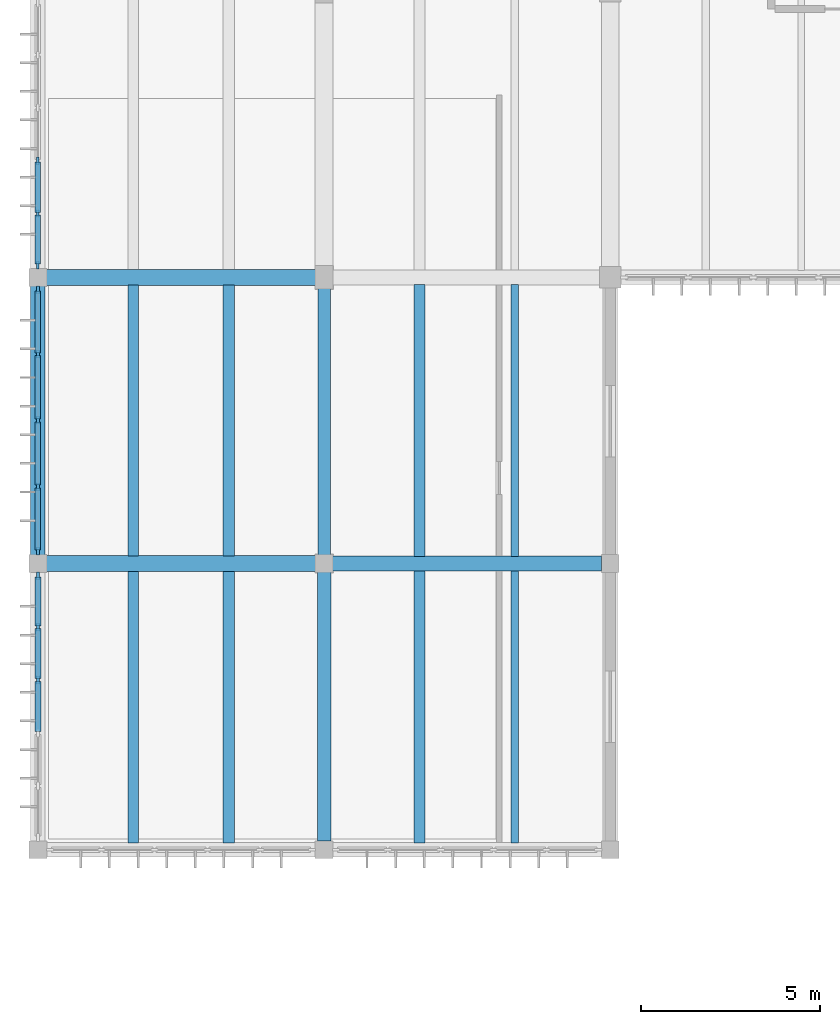
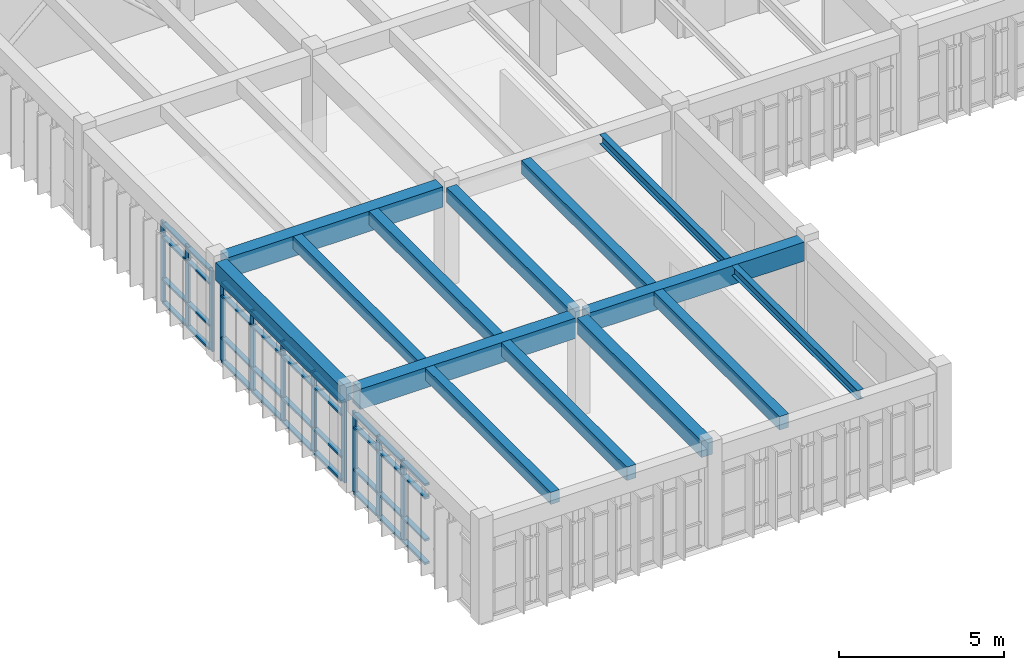
# One storey, part 3 of 22: 47 members, 14 beams, 3 elements without a shape of their own.
"""IFC4 building model written with IfcOpenShell, lengths in metres."""

from ifc_helpers import new_model, si_unit, direction, frame, origin, origin_2d, place, context, subcontext, project, spatial, rectangle, i_section, extrude, material, material_profile, profile_set, type_object, element, aggregate, save


model = new_model("IFC4")

# Units and contexts
model_context = context("Model", 3, precision=1e-05, world=origin(), true_north=direction((0.0, 1.0)))
body_context = subcontext(model_context, "Body", "Model", "MODEL_VIEW")
ifc_project = project(units=[si_unit("LENGTHUNIT", "METRE"), si_unit("AREAUNIT", "SQUARE_METRE"), si_unit("VOLUMEUNIT", "CUBIC_METRE"), si_unit("PLANEANGLEUNIT", "RADIAN"), si_unit("MASSUNIT", "GRAM", prefix="KILO")], contexts=[model_context])

# Site, building, storey
site_placement = place(None, origin())
site = spatial("IfcSite", under=ifc_project, at=site_placement, CompositionType="ELEMENT")
building_placement = place(site_placement, origin())
building = spatial("IfcBuilding", under=site, at=building_placement, Name="Tlaxcora Railside Police Headquarters", CompositionType="ELEMENT")
storey_placement = place(building_placement, frame((0.0, 0.0, 21.89990234375)))
storey = spatial("IfcBuildingStorey", under=building, at=storey_placement, Name="L05", CompositionType="ELEMENT", Elevation=21.89990234375)

# Curtain wall, members
ifc_material_1 = material(Name="Thermally broken low-E insulated glazing", Category="glass")
curtain_wall_type_1 = type_object("IfcCurtainWallType", Name="Unitised Curtain Wall Assembly CW-23", PredefinedType="NOTDEFINED", material=ifc_material_1)
curtain_wall_1_placement = place(storey_placement, origin())
curtain_wall_1 = element("IfcCurtainWall", 1, at=curtain_wall_1_placement, inside=storey, type_object=curtain_wall_type_1, Name="V5 L05 curtain wall 120", PredefinedType="NOTDEFINED")
ifc_material_2 = material(Name="Anodised aluminium framing", Category="aluminium")
ifc_material_profile_1 = material_profile(ifc_material_2, rectangle(XDim=0.080078125, YDim=0.219970703125, at=origin_2d()), Name="AL80X220")
ifc_profile_set_1 = profile_set([ifc_material_profile_1], Name="Anodised aluminium framing")
member_type_1 = type_object("IfcMemberType", Name="Curtain Wall Mullion CW-31", PredefinedType="MULLION", material=ifc_profile_set_1)
member_1_placement = place(storey_placement, frame((5.199951171875, 68.4599609375, 0.0), z_axis=(0.0, 0.0, 1.0), x_axis=(1.0, 0.0, 0.0)))
member_1 = element("IfcMember", 2, at=member_1_placement, type_object=member_type_1, Name="CW mullion 1", PredefinedType="MULLION", context=body_context, shape_type="SweptSolid", body=[
    extrude(rectangle(XDim=0.080078125, YDim=0.219970703125, at=origin_2d()), origin(), (0.0, 0.0, 1.0), 2.97998046875),
])
member_2_placement = place(storey_placement, frame((5.199951171875, 67.02001953125, 0.0), z_axis=(0.0, 0.0, 1.0), x_axis=(1.0, 0.0, 0.0)))
member_2 = element("IfcMember", 3, at=member_2_placement, type_object=member_type_1, Name="CW mullion 2", PredefinedType="MULLION", context=body_context, shape_type="SweptSolid", body=[
    extrude(rectangle(XDim=0.080078125, YDim=0.219970703125, at=origin_2d()), origin(), (0.0, 0.0, 1.0), 2.97998046875),
])
member_3_placement = place(storey_placement, frame((5.199951171875, 65.5400390625, 0.0), z_axis=(0.0, 0.0, 1.0), x_axis=(1.0, 0.0, 0.0)))
member_3 = element("IfcMember", 4, at=member_3_placement, type_object=member_type_1, Name="CW mullion 3", PredefinedType="MULLION", context=body_context, shape_type="SweptSolid", body=[
    extrude(rectangle(XDim=0.080078125, YDim=0.219970703125, at=origin_2d()), origin(), (0.0, 0.0, 1.0), 2.97998046875),
])

curtain_wall_type_2 = type_object("IfcCurtainWallType", Name="Unitised Curtain Wall Assembly CW-15", PredefinedType="NOTDEFINED", material=ifc_material_1)
curtain_wall_2_placement = place(storey_placement, origin())
curtain_wall_2 = element("IfcCurtainWall", 5, at=curtain_wall_2_placement, inside=storey, type_object=curtain_wall_type_2, Name="V5 L05 curtain wall 118", PredefinedType="NOTDEFINED")
ifc_material_profile_2 = material_profile(ifc_material_2, rectangle(XDim=0.074951171875, YDim=0.199951171875, at=origin_2d()), Name="AL75X200")
ifc_profile_set_2 = profile_set([ifc_material_profile_2], Name="Anodised aluminium framing")
member_type_2 = type_object("IfcMemberType", Name="Curtain Wall Mullion CW-58", PredefinedType="MULLION", material=ifc_profile_set_2)
member_4_placement = place(storey_placement, frame((5.199951171875, 80.06005859375, 0.0), z_axis=(0.0, 0.0, 1.0), x_axis=(1.0, 0.0, 0.0)))
member_4 = element("IfcMember", 6, at=member_4_placement, type_object=member_type_2, Name="CW mullion 4", PredefinedType="MULLION", context=body_context, shape_type="SweptSolid", body=[
    extrude(rectangle(XDim=0.074951171875, YDim=0.199951171875, at=origin_2d()), origin(), (0.0, 0.0, 1.0), 2.97998046875),
])
member_5_placement = place(storey_placement, frame((5.199951171875, 78.580078125, 0.0), z_axis=(0.0, 0.0, 1.0), x_axis=(1.0, 0.0, 0.0)))
member_5 = element("IfcMember", 7, at=member_5_placement, type_object=member_type_2, Name="CW mullion 5", PredefinedType="MULLION", context=body_context, shape_type="SweptSolid", body=[
    extrude(rectangle(XDim=0.074951171875, YDim=0.199951171875, at=origin_2d()), origin(), (0.0, 0.0, 1.0), 2.97998046875),
])
member_6_placement = place(storey_placement, frame((5.199951171875, 77.137451171875, 0.0), z_axis=(0.0, 0.0, 1.0), x_axis=(1.0, 0.0, 0.0)))
member_6 = element("IfcMember", 8, at=member_6_placement, type_object=member_type_2, Name="CW mullion 6", PredefinedType="MULLION", context=body_context, shape_type="SweptSolid", body=[
    extrude(rectangle(XDim=0.074951171875, YDim=0.199951171875, at=origin_2d()), origin(), (0.0, 0.0, 1.0), 2.97998046875),
])

curtain_wall_type_3 = type_object("IfcCurtainWallType", Name="Unitised Curtain Wall Assembly CW-83", PredefinedType="NOTDEFINED", material=ifc_material_1)
curtain_wall_3_placement = place(storey_placement, origin())
curtain_wall_3 = element("IfcCurtainWall", 9, at=curtain_wall_3_placement, inside=storey, type_object=curtain_wall_type_3, Name="V5 L05 curtain wall 119", PredefinedType="NOTDEFINED")
ifc_material_profile_3 = material_profile(ifc_material_2, rectangle(XDim=0.080078125, YDim=0.2099609375, at=origin_2d()), Name="AL80X210")
ifc_profile_set_3 = profile_set([ifc_material_profile_3], Name="Anodised aluminium framing")
member_type_3 = type_object("IfcMemberType", Name="Curtain Wall Mullion CW-76", PredefinedType="MULLION", material=ifc_profile_set_3)
member_7_placement = place(storey_placement, frame((5.199951171875, 76.4599609375, 0.0), z_axis=(0.0, 0.0, 1.0), x_axis=(1.0, 0.0, 0.0)))
member_7 = element("IfcMember", 10, at=member_7_placement, type_object=member_type_3, Name="CW mullion 1", PredefinedType="MULLION", context=body_context, shape_type="SweptSolid", body=[
    extrude(rectangle(XDim=0.080078125, YDim=0.2099609375, at=origin_2d()), origin(), (0.0, 0.0, 1.0), 2.97998046875),
])
member_8_placement = place(storey_placement, frame((5.199951171875, 74.64990234375, 0.0), z_axis=(0.0, 0.0, 1.0), x_axis=(1.0, 0.0, 0.0)))
member_8 = element("IfcMember", 11, at=member_8_placement, type_object=member_type_3, Name="CW mullion 2", PredefinedType="MULLION", context=body_context, shape_type="SweptSolid", body=[
    extrude(rectangle(XDim=0.080078125, YDim=0.2099609375, at=origin_2d()), origin(), (0.0, 0.0, 1.0), 2.97998046875),
])
member_9_placement = place(storey_placement, frame((5.199951171875, 72.800048828125, 0.0), z_axis=(0.0, 0.0, 1.0), x_axis=(1.0, 0.0, 0.0)))
member_9 = element("IfcMember", 12, at=member_9_placement, type_object=member_type_3, Name="CW mullion 3", PredefinedType="MULLION", context=body_context, shape_type="SweptSolid", body=[
    extrude(rectangle(XDim=0.080078125, YDim=0.2099609375, at=origin_2d()), origin(), (0.0, 0.0, 1.0), 2.97998046875),
])
member_10_placement = place(storey_placement, frame((5.199951171875, 70.949951171875, 0.0), z_axis=(0.0, 0.0, 1.0), x_axis=(1.0, 0.0, 0.0)))
member_10 = element("IfcMember", 13, at=member_10_placement, type_object=member_type_3, Name="CW mullion 4", PredefinedType="MULLION", context=body_context, shape_type="SweptSolid", body=[
    extrude(rectangle(XDim=0.080078125, YDim=0.2099609375, at=origin_2d()), origin(), (0.0, 0.0, 1.0), 2.97998046875),
])
member_11_placement = place(storey_placement, frame((5.199951171875, 69.139892578125, 0.0), z_axis=(0.0, 0.0, 1.0), x_axis=(1.0, 0.0, 0.0)))
member_11 = element("IfcMember", 14, at=member_11_placement, type_object=member_type_3, Name="CW mullion 5", PredefinedType="MULLION", context=body_context, shape_type="SweptSolid", body=[
    extrude(rectangle(XDim=0.080078125, YDim=0.2099609375, at=origin_2d()), origin(), (0.0, 0.0, 1.0), 2.97998046875),
])

# Member
ifc_material_profile_4 = material_profile(ifc_material_2, rectangle(XDim=0.14990234375, YDim=0.074951171875, at=origin_2d()), Name="AL75X150")
ifc_profile_set_4 = profile_set([ifc_material_profile_4], Name="Anodised aluminium framing")
member_type_4 = type_object("IfcMemberType", Name="Curtain Wall Transom CW-28", PredefinedType="USERDEFINED", material=ifc_profile_set_4)
member_12_placement = place(storey_placement, frame((5.199951171875, 80.0224609375, 0.03759765625), z_axis=(0.0, -1.0, 0.0), x_axis=(1.0, 0.0, 0.0)))
member_12 = element("IfcMember", 15, at=member_12_placement, type_object=member_type_4, Name="CW transom 4.1", ObjectType="TRANSOM", PredefinedType="USERDEFINED", context=body_context, shape_type="SweptSolid", body=[
    extrude(rectangle(XDim=0.14990234375, YDim=0.074951171875, at=origin_2d()), origin(), (0.0, 0.0, 1.0), 1.405029296875),
])

member_13_placement = place(storey_placement, frame((5.199951171875, 80.0224609375, 0.900146484375), z_axis=(0.0, -1.0, 0.0), x_axis=(1.0, 0.0, 0.0)))
member_13 = element("IfcMember", 16, at=member_13_placement, type_object=member_type_4, Name="CW transom 4.2", ObjectType="TRANSOM", PredefinedType="USERDEFINED", context=body_context, shape_type="SweptSolid", body=[
    extrude(rectangle(XDim=0.14990234375, YDim=0.074951171875, at=origin_2d()), origin(), (0.0, 0.0, 1.0), 1.405029296875),
])

member_14_placement = place(storey_placement, frame((5.199951171875, 80.0224609375, 2.4501953125), z_axis=(0.0, -1.0, 0.0), x_axis=(1.0, 0.0, 0.0)))
member_14 = element("IfcMember", 17, at=member_14_placement, type_object=member_type_4, Name="CW transom 4.3", ObjectType="TRANSOM", PredefinedType="USERDEFINED", context=body_context, shape_type="SweptSolid", body=[
    extrude(rectangle(XDim=0.14990234375, YDim=0.074951171875, at=origin_2d()), origin(), (0.0, 0.0, 1.0), 1.405029296875),
])

member_15_placement = place(storey_placement, frame((5.199951171875, 80.0224609375, 2.942626953125), z_axis=(0.0, -1.0, 0.0), x_axis=(1.0, 0.0, 0.0)))
member_15 = element("IfcMember", 18, at=member_15_placement, type_object=member_type_4, Name="CW transom 4.4", ObjectType="TRANSOM", PredefinedType="USERDEFINED", context=body_context, shape_type="SweptSolid", body=[
    extrude(rectangle(XDim=0.14990234375, YDim=0.074951171875, at=origin_2d()), origin(), (0.0, 0.0, 1.0), 1.405029296875),
])

member_16_placement = place(storey_placement, frame((5.199951171875, 78.54248046875, 0.03759765625), z_axis=(0.0, -1.0, 0.0), x_axis=(1.0, 0.0, 0.0)))
member_16 = element("IfcMember", 19, at=member_16_placement, type_object=member_type_4, Name="CW transom 5.1", ObjectType="TRANSOM", PredefinedType="USERDEFINED", context=body_context, shape_type="SweptSolid", body=[
    extrude(rectangle(XDim=0.14990234375, YDim=0.074951171875, at=origin_2d()), origin(), (0.0, 0.0, 1.0), 1.367431640625),
])

member_17_placement = place(storey_placement, frame((5.199951171875, 78.54248046875, 0.900146484375), z_axis=(0.0, -1.0, 0.0), x_axis=(1.0, 0.0, 0.0)))
member_17 = element("IfcMember", 20, at=member_17_placement, type_object=member_type_4, Name="CW transom 5.2", ObjectType="TRANSOM", PredefinedType="USERDEFINED", context=body_context, shape_type="SweptSolid", body=[
    extrude(rectangle(XDim=0.14990234375, YDim=0.074951171875, at=origin_2d()), origin(), (0.0, 0.0, 1.0), 1.367431640625),
])

member_18_placement = place(storey_placement, frame((5.199951171875, 78.54248046875, 2.4501953125), z_axis=(0.0, -1.0, 0.0), x_axis=(1.0, 0.0, 0.0)))
member_18 = element("IfcMember", 21, at=member_18_placement, type_object=member_type_4, Name="CW transom 5.3", ObjectType="TRANSOM", PredefinedType="USERDEFINED", context=body_context, shape_type="SweptSolid", body=[
    extrude(rectangle(XDim=0.14990234375, YDim=0.074951171875, at=origin_2d()), origin(), (0.0, 0.0, 1.0), 1.367431640625),
])

member_19_placement = place(storey_placement, frame((5.199951171875, 78.54248046875, 2.942626953125), z_axis=(0.0, -1.0, 0.0), x_axis=(1.0, 0.0, 0.0)))
member_19 = element("IfcMember", 22, at=member_19_placement, type_object=member_type_4, Name="CW transom 5.4", ObjectType="TRANSOM", PredefinedType="USERDEFINED", context=body_context, shape_type="SweptSolid", body=[
    extrude(rectangle(XDim=0.14990234375, YDim=0.074951171875, at=origin_2d()), origin(), (0.0, 0.0, 1.0), 1.367431640625),
])

aggregate(curtain_wall_2, [member_4, member_5, member_6, member_12, member_13, member_14, member_15, member_16, member_17, member_18, member_19])

ifc_material_profile_5 = material_profile(ifc_material_2, rectangle(XDim=0.1650390625, YDim=0.080078125, at=origin_2d()), Name="AL80X165")
ifc_profile_set_5 = profile_set([ifc_material_profile_5], Name="Anodised aluminium framing")
member_type_5 = type_object("IfcMemberType", Name="Curtain Wall Transom CW-62", PredefinedType="USERDEFINED", material=ifc_profile_set_5)
member_20_placement = place(storey_placement, frame((5.199951171875, 68.419921875, 0.0400390625), z_axis=(0.0, -1.0, 0.0), x_axis=(1.0, 0.0, 0.0)))
member_20 = element("IfcMember", 23, at=member_20_placement, type_object=member_type_5, Name="CW transom 1.1", ObjectType="TRANSOM", PredefinedType="USERDEFINED", context=body_context, shape_type="SweptSolid", body=[
    extrude(rectangle(XDim=0.1650390625, YDim=0.080078125, at=origin_2d()), origin(), (0.0, 0.0, 1.0), 1.35986328125),
])

member_21_placement = place(storey_placement, frame((5.199951171875, 68.419921875, 0.900146484375), z_axis=(0.0, -1.0, 0.0), x_axis=(1.0, 0.0, 0.0)))
member_21 = element("IfcMember", 24, at=member_21_placement, type_object=member_type_5, Name="CW transom 1.2", ObjectType="TRANSOM", PredefinedType="USERDEFINED", context=body_context, shape_type="SweptSolid", body=[
    extrude(rectangle(XDim=0.1650390625, YDim=0.080078125, at=origin_2d()), origin(), (0.0, 0.0, 1.0), 1.35986328125),
])

member_22_placement = place(storey_placement, frame((5.199951171875, 68.419921875, 2.4501953125), z_axis=(0.0, -1.0, 0.0), x_axis=(1.0, 0.0, 0.0)))
member_22 = element("IfcMember", 25, at=member_22_placement, type_object=member_type_5, Name="CW transom 1.3", ObjectType="TRANSOM", PredefinedType="USERDEFINED", context=body_context, shape_type="SweptSolid", body=[
    extrude(rectangle(XDim=0.1650390625, YDim=0.080078125, at=origin_2d()), origin(), (0.0, 0.0, 1.0), 1.35986328125),
])

member_23_placement = place(storey_placement, frame((5.199951171875, 68.419921875, 2.940185546875), z_axis=(0.0, -1.0, 0.0), x_axis=(1.0, 0.0, 0.0)))
member_23 = element("IfcMember", 26, at=member_23_placement, type_object=member_type_5, Name="CW transom 1.4", ObjectType="TRANSOM", PredefinedType="USERDEFINED", context=body_context, shape_type="SweptSolid", body=[
    extrude(rectangle(XDim=0.1650390625, YDim=0.080078125, at=origin_2d()), origin(), (0.0, 0.0, 1.0), 1.35986328125),
])

member_24_placement = place(storey_placement, frame((5.199951171875, 66.97998046875, 0.0400390625), z_axis=(0.0, -1.0, 0.0), x_axis=(1.0, 0.0, 0.0)))
member_24 = element("IfcMember", 27, at=member_24_placement, type_object=member_type_5, Name="CW transom 2.1", ObjectType="TRANSOM", PredefinedType="USERDEFINED", context=body_context, shape_type="SweptSolid", body=[
    extrude(rectangle(XDim=0.1650390625, YDim=0.080078125, at=origin_2d()), origin(), (0.0, 0.0, 1.0), 1.39990234375),
])

member_25_placement = place(storey_placement, frame((5.199951171875, 66.97998046875, 0.900146484375), z_axis=(0.0, -1.0, 0.0), x_axis=(1.0, 0.0, 0.0)))
member_25 = element("IfcMember", 28, at=member_25_placement, type_object=member_type_5, Name="CW transom 2.2", ObjectType="TRANSOM", PredefinedType="USERDEFINED", context=body_context, shape_type="SweptSolid", body=[
    extrude(rectangle(XDim=0.1650390625, YDim=0.080078125, at=origin_2d()), origin(), (0.0, 0.0, 1.0), 1.39990234375),
])

member_26_placement = place(storey_placement, frame((5.199951171875, 66.97998046875, 2.4501953125), z_axis=(0.0, -1.0, 0.0), x_axis=(1.0, 0.0, 0.0)))
member_26 = element("IfcMember", 29, at=member_26_placement, type_object=member_type_5, Name="CW transom 2.3", ObjectType="TRANSOM", PredefinedType="USERDEFINED", context=body_context, shape_type="SweptSolid", body=[
    extrude(rectangle(XDim=0.1650390625, YDim=0.080078125, at=origin_2d()), origin(), (0.0, 0.0, 1.0), 1.39990234375),
])

member_27_placement = place(storey_placement, frame((5.199951171875, 66.97998046875, 2.940185546875), z_axis=(0.0, -1.0, 0.0), x_axis=(1.0, 0.0, 0.0)))
member_27 = element("IfcMember", 30, at=member_27_placement, type_object=member_type_5, Name="CW transom 2.4", ObjectType="TRANSOM", PredefinedType="USERDEFINED", context=body_context, shape_type="SweptSolid", body=[
    extrude(rectangle(XDim=0.1650390625, YDim=0.080078125, at=origin_2d()), origin(), (0.0, 0.0, 1.0), 1.39990234375),
])

member_28_placement = place(storey_placement, frame((5.199951171875, 65.5, 0.0400390625), z_axis=(0.0, -1.0, 0.0), x_axis=(1.0, 0.0, 0.0)))
member_28 = element("IfcMember", 31, at=member_28_placement, type_object=member_type_5, Name="CW transom 3.1", ObjectType="TRANSOM", PredefinedType="USERDEFINED", context=body_context, shape_type="SweptSolid", body=[
    extrude(rectangle(XDim=0.1650390625, YDim=0.080078125, at=origin_2d()), origin(), (0.0, 0.0, 1.0), 1.39990234375),
])

member_29_placement = place(storey_placement, frame((5.199951171875, 65.5, 0.900146484375), z_axis=(0.0, -1.0, 0.0), x_axis=(1.0, 0.0, 0.0)))
member_29 = element("IfcMember", 32, at=member_29_placement, type_object=member_type_5, Name="CW transom 3.2", ObjectType="TRANSOM", PredefinedType="USERDEFINED", context=body_context, shape_type="SweptSolid", body=[
    extrude(rectangle(XDim=0.1650390625, YDim=0.080078125, at=origin_2d()), origin(), (0.0, 0.0, 1.0), 1.39990234375),
])

member_30_placement = place(storey_placement, frame((5.199951171875, 65.5, 2.4501953125), z_axis=(0.0, -1.0, 0.0), x_axis=(1.0, 0.0, 0.0)))
member_30 = element("IfcMember", 33, at=member_30_placement, type_object=member_type_5, Name="CW transom 3.3", ObjectType="TRANSOM", PredefinedType="USERDEFINED", context=body_context, shape_type="SweptSolid", body=[
    extrude(rectangle(XDim=0.1650390625, YDim=0.080078125, at=origin_2d()), origin(), (0.0, 0.0, 1.0), 1.39990234375),
])

member_31_placement = place(storey_placement, frame((5.199951171875, 65.5, 2.940185546875), z_axis=(0.0, -1.0, 0.0), x_axis=(1.0, 0.0, 0.0)))
member_31 = element("IfcMember", 34, at=member_31_placement, type_object=member_type_5, Name="CW transom 3.4", ObjectType="TRANSOM", PredefinedType="USERDEFINED", context=body_context, shape_type="SweptSolid", body=[
    extrude(rectangle(XDim=0.1650390625, YDim=0.080078125, at=origin_2d()), origin(), (0.0, 0.0, 1.0), 1.39990234375),
])

aggregate(curtain_wall_1, [member_1, member_2, member_3, member_20, member_21, member_22, member_23, member_24, member_25, member_26, member_27, member_28, member_29, member_30, member_31])

ifc_material_profile_6 = material_profile(ifc_material_2, rectangle(XDim=0.159912109375, YDim=0.080078125, at=origin_2d()), Name="AL80X160")
ifc_profile_set_6 = profile_set([ifc_material_profile_6], Name="Anodised aluminium framing")
member_type_6 = type_object("IfcMemberType", Name="Curtain Wall Transom CW-82", PredefinedType="USERDEFINED", material=ifc_profile_set_6)
member_32_placement = place(storey_placement, frame((5.199951171875, 76.419921875, 0.0400390625), z_axis=(0.0, -1.0, 0.0), x_axis=(1.0, 0.0, 0.0)))
member_32 = element("IfcMember", 35, at=member_32_placement, type_object=member_type_6, Name="CW transom 1.1", ObjectType="TRANSOM", PredefinedType="USERDEFINED", context=body_context, shape_type="SweptSolid", body=[
    extrude(rectangle(XDim=0.159912109375, YDim=0.080078125, at=origin_2d()), origin(), (0.0, 0.0, 1.0), 1.72998046875),
])

member_33_placement = place(storey_placement, frame((5.199951171875, 76.419921875, 0.900146484375), z_axis=(0.0, -1.0, 0.0), x_axis=(1.0, 0.0, 0.0)))
member_33 = element("IfcMember", 36, at=member_33_placement, type_object=member_type_6, Name="CW transom 1.2", ObjectType="TRANSOM", PredefinedType="USERDEFINED", context=body_context, shape_type="SweptSolid", body=[
    extrude(rectangle(XDim=0.159912109375, YDim=0.080078125, at=origin_2d()), origin(), (0.0, 0.0, 1.0), 1.72998046875),
])

member_34_placement = place(storey_placement, frame((5.199951171875, 76.419921875, 2.4501953125), z_axis=(0.0, -1.0, 0.0), x_axis=(1.0, 0.0, 0.0)))
member_34 = element("IfcMember", 37, at=member_34_placement, type_object=member_type_6, Name="CW transom 1.3", ObjectType="TRANSOM", PredefinedType="USERDEFINED", context=body_context, shape_type="SweptSolid", body=[
    extrude(rectangle(XDim=0.159912109375, YDim=0.080078125, at=origin_2d()), origin(), (0.0, 0.0, 1.0), 1.72998046875),
])

member_35_placement = place(storey_placement, frame((5.199951171875, 76.419921875, 2.940185546875), z_axis=(0.0, -1.0, 0.0), x_axis=(1.0, 0.0, 0.0)))
member_35 = element("IfcMember", 38, at=member_35_placement, type_object=member_type_6, Name="CW transom 1.4", ObjectType="TRANSOM", PredefinedType="USERDEFINED", context=body_context, shape_type="SweptSolid", body=[
    extrude(rectangle(XDim=0.159912109375, YDim=0.080078125, at=origin_2d()), origin(), (0.0, 0.0, 1.0), 1.72998046875),
])

member_36_placement = place(storey_placement, frame((5.199951171875, 74.610107421875, 0.0400390625), z_axis=(0.0, -1.0, 0.0), x_axis=(1.0, 0.0, 0.0)))
member_36 = element("IfcMember", 39, at=member_36_placement, type_object=member_type_6, Name="CW transom 2.1", ObjectType="TRANSOM", PredefinedType="USERDEFINED", context=body_context, shape_type="SweptSolid", body=[
    extrude(rectangle(XDim=0.159912109375, YDim=0.080078125, at=origin_2d()), origin(), (0.0, 0.0, 1.0), 1.77001953125),
])

member_37_placement = place(storey_placement, frame((5.199951171875, 74.610107421875, 0.900146484375), z_axis=(0.0, -1.0, 0.0), x_axis=(1.0, 0.0, 0.0)))
member_37 = element("IfcMember", 40, at=member_37_placement, type_object=member_type_6, Name="CW transom 2.2", ObjectType="TRANSOM", PredefinedType="USERDEFINED", context=body_context, shape_type="SweptSolid", body=[
    extrude(rectangle(XDim=0.159912109375, YDim=0.080078125, at=origin_2d()), origin(), (0.0, 0.0, 1.0), 1.77001953125),
])

member_38_placement = place(storey_placement, frame((5.199951171875, 74.610107421875, 2.4501953125), z_axis=(0.0, -1.0, 0.0), x_axis=(1.0, 0.0, 0.0)))
member_38 = element("IfcMember", 41, at=member_38_placement, type_object=member_type_6, Name="CW transom 2.3", ObjectType="TRANSOM", PredefinedType="USERDEFINED", context=body_context, shape_type="SweptSolid", body=[
    extrude(rectangle(XDim=0.159912109375, YDim=0.080078125, at=origin_2d()), origin(), (0.0, 0.0, 1.0), 1.77001953125),
])

member_39_placement = place(storey_placement, frame((5.199951171875, 74.610107421875, 2.940185546875), z_axis=(0.0, -1.0, 0.0), x_axis=(1.0, 0.0, 0.0)))
member_39 = element("IfcMember", 42, at=member_39_placement, type_object=member_type_6, Name="CW transom 2.4", ObjectType="TRANSOM", PredefinedType="USERDEFINED", context=body_context, shape_type="SweptSolid", body=[
    extrude(rectangle(XDim=0.159912109375, YDim=0.080078125, at=origin_2d()), origin(), (0.0, 0.0, 1.0), 1.77001953125),
])

member_40_placement = place(storey_placement, frame((5.199951171875, 72.760009765625, 0.0400390625), z_axis=(0.0, -1.0, 0.0), x_axis=(1.0, 0.0, 0.0)))
member_40 = element("IfcMember", 43, at=member_40_placement, type_object=member_type_6, Name="CW transom 3.1", ObjectType="TRANSOM", PredefinedType="USERDEFINED", context=body_context, shape_type="SweptSolid", body=[
    extrude(rectangle(XDim=0.159912109375, YDim=0.080078125, at=origin_2d()), origin(), (0.0, 0.0, 1.0), 1.77001953125),
])

member_41_placement = place(storey_placement, frame((5.199951171875, 72.760009765625, 0.900146484375), z_axis=(0.0, -1.0, 0.0), x_axis=(1.0, 0.0, 0.0)))
member_41 = element("IfcMember", 44, at=member_41_placement, type_object=member_type_6, Name="CW transom 3.2", ObjectType="TRANSOM", PredefinedType="USERDEFINED", context=body_context, shape_type="SweptSolid", body=[
    extrude(rectangle(XDim=0.159912109375, YDim=0.080078125, at=origin_2d()), origin(), (0.0, 0.0, 1.0), 1.77001953125),
])

member_42_placement = place(storey_placement, frame((5.199951171875, 72.760009765625, 2.4501953125), z_axis=(0.0, -1.0, 0.0), x_axis=(1.0, 0.0, 0.0)))
member_42 = element("IfcMember", 45, at=member_42_placement, type_object=member_type_6, Name="CW transom 3.3", ObjectType="TRANSOM", PredefinedType="USERDEFINED", context=body_context, shape_type="SweptSolid", body=[
    extrude(rectangle(XDim=0.159912109375, YDim=0.080078125, at=origin_2d()), origin(), (0.0, 0.0, 1.0), 1.77001953125),
])

member_43_placement = place(storey_placement, frame((5.199951171875, 72.760009765625, 2.940185546875), z_axis=(0.0, -1.0, 0.0), x_axis=(1.0, 0.0, 0.0)))
member_43 = element("IfcMember", 46, at=member_43_placement, type_object=member_type_6, Name="CW transom 3.4", ObjectType="TRANSOM", PredefinedType="USERDEFINED", context=body_context, shape_type="SweptSolid", body=[
    extrude(rectangle(XDim=0.159912109375, YDim=0.080078125, at=origin_2d()), origin(), (0.0, 0.0, 1.0), 1.77001953125),
])

member_44_placement = place(storey_placement, frame((5.199951171875, 70.909912109375, 0.0400390625), z_axis=(0.0, -1.0, 0.0), x_axis=(1.0, 0.0, 0.0)))
member_44 = element("IfcMember", 47, at=member_44_placement, type_object=member_type_6, Name="CW transom 4.1", ObjectType="TRANSOM", PredefinedType="USERDEFINED", context=body_context, shape_type="SweptSolid", body=[
    extrude(rectangle(XDim=0.159912109375, YDim=0.080078125, at=origin_2d()), origin(), (0.0, 0.0, 1.0), 1.72998046875),
])

member_45_placement = place(storey_placement, frame((5.199951171875, 70.909912109375, 0.900146484375), z_axis=(0.0, -1.0, 0.0), x_axis=(1.0, 0.0, 0.0)))
member_45 = element("IfcMember", 48, at=member_45_placement, type_object=member_type_6, Name="CW transom 4.2", ObjectType="TRANSOM", PredefinedType="USERDEFINED", context=body_context, shape_type="SweptSolid", body=[
    extrude(rectangle(XDim=0.159912109375, YDim=0.080078125, at=origin_2d()), origin(), (0.0, 0.0, 1.0), 1.72998046875),
])

member_46_placement = place(storey_placement, frame((5.199951171875, 70.909912109375, 2.4501953125), z_axis=(0.0, -1.0, 0.0), x_axis=(1.0, 0.0, 0.0)))
member_46 = element("IfcMember", 49, at=member_46_placement, type_object=member_type_6, Name="CW transom 4.3", ObjectType="TRANSOM", PredefinedType="USERDEFINED", context=body_context, shape_type="SweptSolid", body=[
    extrude(rectangle(XDim=0.159912109375, YDim=0.080078125, at=origin_2d()), origin(), (0.0, 0.0, 1.0), 1.72998046875),
])

member_47_placement = place(storey_placement, frame((5.199951171875, 70.909912109375, 2.940185546875), z_axis=(0.0, -1.0, 0.0), x_axis=(1.0, 0.0, 0.0)))
member_47 = element("IfcMember", 50, at=member_47_placement, type_object=member_type_6, Name="CW transom 4.4", ObjectType="TRANSOM", PredefinedType="USERDEFINED", context=body_context, shape_type="SweptSolid", body=[
    extrude(rectangle(XDim=0.159912109375, YDim=0.080078125, at=origin_2d()), origin(), (0.0, 0.0, 1.0), 1.72998046875),
])

aggregate(curtain_wall_3, [member_7, member_8, member_9, member_10, member_11, member_32, member_33, member_34, member_35, member_36, member_37, member_38, member_39, member_40, member_41, member_42, member_43, member_44, member_45, member_46, member_47])

# Beams
ifc_material_3 = material(Name="Concrete C40/50", Category="concrete")
ifc_material_profile_7 = material_profile(ifc_material_3, rectangle(XDim=0.39990234375, YDim=0.64990234375, at=origin_2d()), Name="RC400X650")
ifc_profile_set_7 = profile_set([ifc_material_profile_7], Name="Concrete C40/50")
beam_type_1 = type_object("IfcBeamType", Name="Perimeter Spandrel Beam BM-46", PredefinedType="SPANDREL", material=ifc_profile_set_7)
beam_1_placement = place(storey_placement, frame((5.199951171875, 69.0400390625, 3.3251953125), z_axis=(0.0, 1.0, 0.0), x_axis=(-1.0, 0.0, 0.0)))
element("IfcBeam", 51, at=beam_1_placement, inside=storey, type_object=beam_type_1, Name="V5 L05 Y-girder X=5.2", PredefinedType="SPANDREL", context=body_context, shape_type="SweptSolid", body=[
    extrude(rectangle(XDim=0.39990234375, YDim=0.64990234375, at=origin_2d()), origin(), (0.0, 0.0, 1.0), 7.52001953125),
])
ifc_material_profile_8 = material_profile(ifc_material_3, rectangle(XDim=0.3798828125, YDim=0.60009765625, at=origin_2d()), Name="RC380X600")
ifc_profile_set_8 = profile_set([ifc_material_profile_8], Name="Concrete C40/50")
beam_type_2 = type_object("IfcBeamType", Name="Primary Frame Girder BM-22", PredefinedType="BEAM", material=ifc_profile_set_8)
beam_2_placement = place(storey_placement, frame((13.199951171875, 61.0400390625, 3.35009765625), z_axis=(0.0, 1.0, 0.0), x_axis=(-1.0, 0.0, 0.0)))
element("IfcBeam", 52, at=beam_2_placement, inside=storey, type_object=beam_type_2, Name="V5 L05 Y-girder X=13.2", PredefinedType="BEAM", context=body_context, shape_type="SweptSolid", body=[
    extrude(rectangle(XDim=0.3798828125, YDim=0.60009765625, at=origin_2d()), origin(), (0.0, 0.0, 1.0), 7.52001953125),
])
ifc_material_profile_9 = material_profile(ifc_material_3, rectangle(XDim=0.419921875, YDim=0.699951171875, at=origin_2d()), Name="RC420X700")
ifc_profile_set_9 = profile_set([ifc_material_profile_9], Name="Concrete C40/50")
beam_type_3 = type_object("IfcBeamType", Name="Primary Frame Girder BM-35", PredefinedType="BEAM", material=ifc_profile_set_9)
beam_3_placement = place(storey_placement, frame((13.43994140625, 68.800048828125, 3.300048828125), z_axis=(1.0, 0.0, 0.0), x_axis=(0.0, 1.0, 0.0)))
element("IfcBeam", 53, at=beam_3_placement, inside=storey, type_object=beam_type_3, Name="V5 L05 X-girder Y=68.8", PredefinedType="BEAM", context=body_context, shape_type="SweptSolid", body=[
    extrude(rectangle(XDim=0.419921875, YDim=0.699951171875, at=origin_2d()), origin(), (0.0, 0.0, 1.0), 7.52001953125),
])
ifc_material_profile_10 = material_profile(ifc_material_3, rectangle(XDim=0.35009765625, YDim=0.550048828125, at=origin_2d()), Name="RC350X550")
ifc_profile_set_10 = profile_set([ifc_material_profile_10], Name="Concrete C40/50")
beam_type_4 = type_object("IfcBeamType", Name="Primary Frame Girder BM-39", PredefinedType="BEAM", material=ifc_profile_set_10)
beam_4_placement = place(storey_placement, frame((13.199951171875, 69.0400390625, 3.375), z_axis=(0.0, 1.0, 0.0), x_axis=(-1.0, 0.0, 0.0)))
element("IfcBeam", 54, at=beam_4_placement, inside=storey, type_object=beam_type_4, Name="V5 L05 Y-girder X=13.2", PredefinedType="BEAM", context=body_context, shape_type="SweptSolid", body=[
    extrude(rectangle(XDim=0.35009765625, YDim=0.550048828125, at=origin_2d()), origin(), (0.0, 0.0, 1.0), 7.445068359375),
])
ifc_material_profile_11 = material_profile(ifc_material_3, rectangle(XDim=0.449951171875, YDim=0.75, at=origin_2d()), Name="RC450X750")
ifc_profile_set_11 = profile_set([ifc_material_profile_11], Name="Concrete C40/50")
beam_type_5 = type_object("IfcBeamType", Name="Primary Frame Girder BM-73", PredefinedType="BEAM", material=ifc_profile_set_11)
for number, where, z_axis, x_axis, name in (
    (55, (5.43994140625, 68.800048828125, 3.275146484375), (1.0, 0.0, 0.0), (0.0, 1.0, 0.0), "V5 L05 X-girder Y=68.8"),
    (56, (5.43994140625, 76.800048828125, 3.275146484375), (1.0, 0.0, 0.0), (0.0, 1.0, 0.0), "V5 L05 X-girder Y=76.8"),
):
    element("IfcBeam", number, at=place(storey_placement, frame(where, z_axis=z_axis, x_axis=x_axis)), inside=storey, type_object=beam_type_5, Name=name, PredefinedType="BEAM", context=body_context, shape_type="SweptSolid", body=[
        extrude(rectangle(XDim=0.449951171875, YDim=0.75, at=origin_2d()), origin(), (0.0, 0.0, 1.0), 7.52001953125),
    ])
ifc_material_4 = material(Name="Concrete C35/45", Category="concrete")
ifc_material_profile_12 = material_profile(ifc_material_4, rectangle(XDim=0.300048828125, YDim=0.449951171875, at=origin_2d()), Name="RC300X450")
ifc_profile_set_12 = profile_set([ifc_material_profile_12], Name="Concrete C35/45")
beam_type_6 = type_object("IfcBeamType", Name="Secondary Floor Joist BM-27", PredefinedType="JOIST", material=ifc_profile_set_12)
beam_5_placement = place(storey_placement, frame((7.86669921875, 60.991943359375, 3.425048828125), z_axis=(0.0, 1.0, 0.0), x_axis=(-1.0, 0.0, 0.0)))
element("IfcBeam", 57, at=beam_5_placement, inside=storey, type_object=beam_type_6, Name="V5 L05 floor joist X=7.87", PredefinedType="JOIST", context=body_context, shape_type="SweptSolid", body=[
    extrude(rectangle(XDim=0.300048828125, YDim=0.449951171875, at=origin_2d()), origin(), (0.0, 0.0, 1.0), 7.591064453125),
])
beam_6_placement = place(storey_placement, frame((7.86669921875, 69.01708984375, 3.425048828125), z_axis=(0.0, 1.0, 0.0), x_axis=(-1.0, 0.0, 0.0)))
element("IfcBeam", 58, at=beam_6_placement, inside=storey, type_object=beam_type_6, Name="V5 L05 floor joist X=7.87", PredefinedType="JOIST", context=body_context, shape_type="SweptSolid", body=[
    extrude(rectangle(XDim=0.300048828125, YDim=0.449951171875, at=origin_2d()), origin(), (0.0, 0.0, 1.0), 7.56591796875),
])
ifc_material_5 = material(Name="Steel ASTM A992 Grade 50", Category="steel")
ifc_material_profile_13 = material_profile(ifc_material_5, i_section(OverallWidth=0.2041015625, OverallDepth=0.35009765625, WebThickness=0.008544921875, FlangeThickness=0.01513671875, at=origin_2d()), Name="W14X48")
ifc_profile_set_13 = profile_set([ifc_material_profile_13], Name="Steel ASTM A992 Grade 50")
beam_type_7 = type_object("IfcBeamType", Name="Secondary Floor Joist BM-65", PredefinedType="JOIST", material=ifc_profile_set_13)
beam_7_placement = place(storey_placement, frame((18.533203125, 60.991943359375, 3.47509765625), z_axis=(0.0, 1.0, 0.0), x_axis=(-1.0, 0.0, 0.0)))
element("IfcBeam", 59, at=beam_7_placement, inside=storey, type_object=beam_type_7, Name="V5 L05 floor joist X=18.53", PredefinedType="JOIST", context=body_context, shape_type="SweptSolid", body=[
    extrude(i_section(OverallWidth=0.2041015625, OverallDepth=0.35009765625, WebThickness=0.008544921875, FlangeThickness=0.01513671875, at=origin_2d()), origin(), (0.0, 0.0, 1.0), 7.60595703125),
])
beam_8_placement = place(storey_placement, frame((18.533203125, 69.001953125, 3.47509765625), z_axis=(0.0, 1.0, 0.0), x_axis=(-1.0, 0.0, 0.0)))
element("IfcBeam", 60, at=beam_8_placement, inside=storey, type_object=beam_type_7, Name="V5 L05 floor joist X=18.53", PredefinedType="JOIST", context=body_context, shape_type="SweptSolid", body=[
    extrude(i_section(OverallWidth=0.2041015625, OverallDepth=0.35009765625, WebThickness=0.008544921875, FlangeThickness=0.01513671875, at=origin_2d()), origin(), (0.0, 0.0, 1.0), 7.595947265625),
])
ifc_material_profile_14 = material_profile(ifc_material_4, rectangle(XDim=0.320068359375, YDim=0.5, at=origin_2d()), Name="RC320X500")
ifc_profile_set_14 = profile_set([ifc_material_profile_14], Name="Concrete C35/45")
beam_type_8 = type_object("IfcBeamType", Name="Secondary Floor Joist BM-88", PredefinedType="JOIST", material=ifc_profile_set_14)
beam_9_placement = place(storey_placement, frame((10.533203125, 60.991943359375, 3.400146484375), z_axis=(0.0, 1.0, 0.0), x_axis=(-1.0, 0.0, 0.0)))
element("IfcBeam", 61, at=beam_9_placement, inside=storey, type_object=beam_type_8, Name="V5 L05 floor joist X=10.53", PredefinedType="JOIST", context=body_context, shape_type="SweptSolid", body=[
    extrude(rectangle(XDim=0.320068359375, YDim=0.5, at=origin_2d()), origin(), (0.0, 0.0, 1.0), 7.591064453125),
])
beam_10_placement = place(storey_placement, frame((15.86669921875, 60.991943359375, 3.400146484375), z_axis=(0.0, 1.0, 0.0), x_axis=(-1.0, 0.0, 0.0)))
element("IfcBeam", 62, at=beam_10_placement, inside=storey, type_object=beam_type_8, Name="V5 L05 floor joist X=15.87", PredefinedType="JOIST", context=body_context, shape_type="SweptSolid", body=[
    extrude(rectangle(XDim=0.320068359375, YDim=0.5, at=origin_2d()), origin(), (0.0, 0.0, 1.0), 7.60595703125),
])
beam_11_placement = place(storey_placement, frame((10.533203125, 69.01708984375, 3.400146484375), z_axis=(0.0, 1.0, 0.0), x_axis=(-1.0, 0.0, 0.0)))
element("IfcBeam", 63, at=beam_11_placement, inside=storey, type_object=beam_type_8, Name="V5 L05 floor joist X=10.53", PredefinedType="JOIST", context=body_context, shape_type="SweptSolid", body=[
    extrude(rectangle(XDim=0.320068359375, YDim=0.5, at=origin_2d()), origin(), (0.0, 0.0, 1.0), 7.56591796875),
])
beam_12_placement = place(storey_placement, frame((15.86669921875, 69.001953125, 3.400146484375), z_axis=(0.0, 1.0, 0.0), x_axis=(-1.0, 0.0, 0.0)))
element("IfcBeam", 64, at=beam_12_placement, inside=storey, type_object=beam_type_8, Name="V5 L05 floor joist X=15.87", PredefinedType="JOIST", context=body_context, shape_type="SweptSolid", body=[
    extrude(rectangle(XDim=0.320068359375, YDim=0.5, at=origin_2d()), origin(), (0.0, 0.0, 1.0), 7.595947265625),
])

save(model, "model.ifc")
